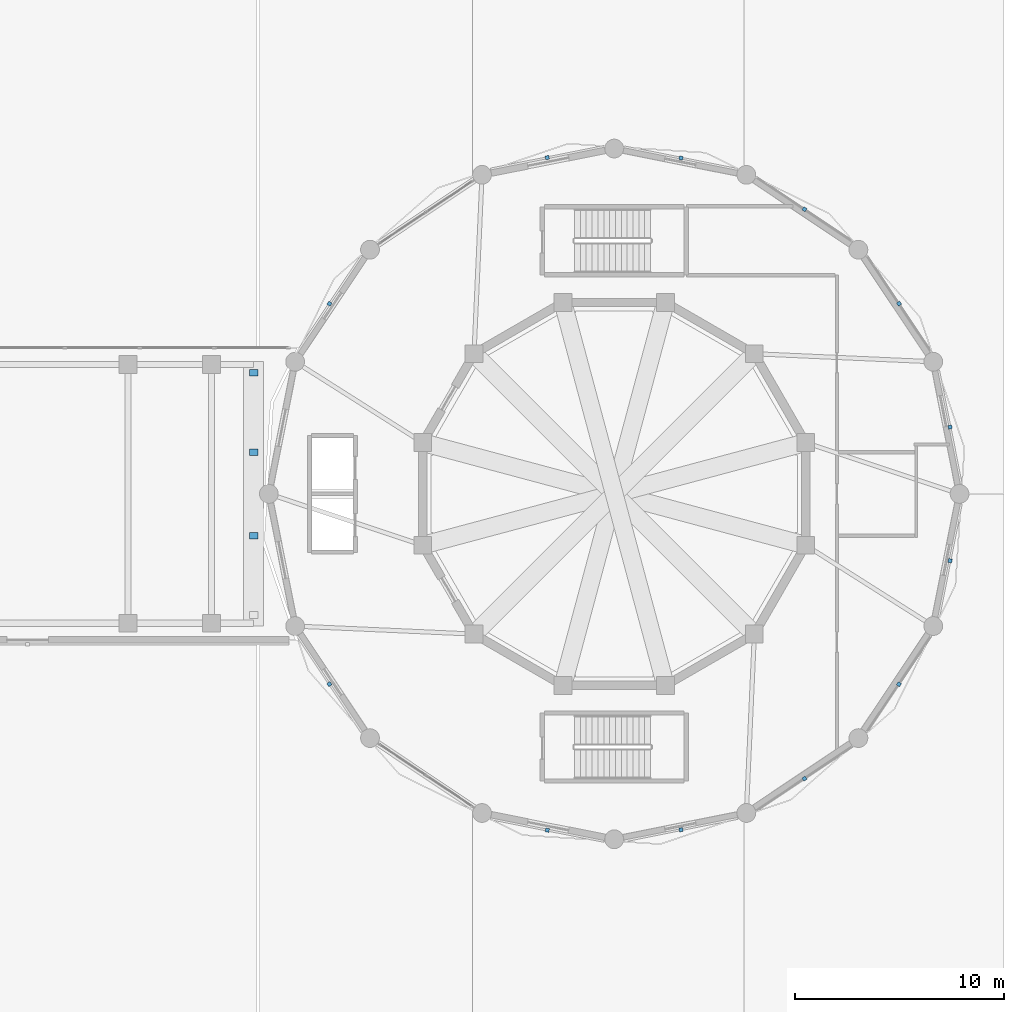
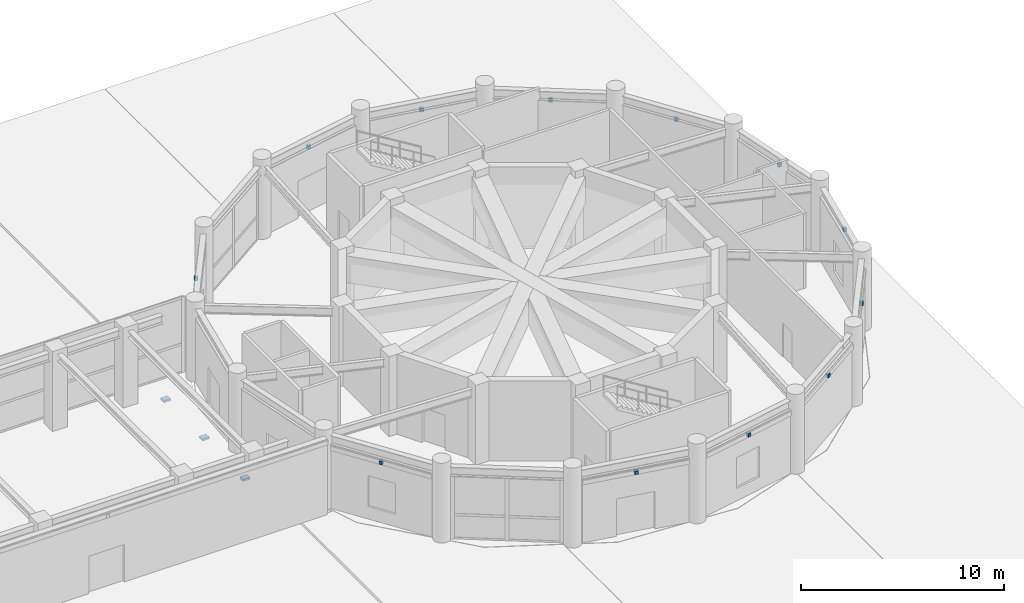
# One storey, part 34 of 40: 15 discrete accessories.
"""IFC4 building model written with IfcOpenShell, lengths in metres."""

from ifc_helpers import new_model, si_unit, derived_unit, direction, frame, origin, origin_2d, place, context, subcontext, project, spatial, rectangle, extrude, source, transform, mapped, material, type_object, element, save


model = new_model("IFC4")

# Units and contexts
model_context = context("Model", 3, precision=1e-05, world=origin(), true_north=direction((0.0, 1.0)))
body_context = subcontext(model_context, "Body", "Model", "MODEL_VIEW")
ifc_project = project(units=[si_unit("LENGTHUNIT", "METRE"), si_unit("AREAUNIT", "SQUARE_METRE"), si_unit("VOLUMEUNIT", "CUBIC_METRE"), si_unit("PLANEANGLEUNIT", "RADIAN"), si_unit("MASSUNIT", "GRAM", prefix="KILO"), derived_unit("THERMALTRANSMITTANCEUNIT", [(si_unit("POWERUNIT", "WATT"), 1), (si_unit("LENGTHUNIT", "METRE"), -2), (si_unit("THERMODYNAMICTEMPERATUREUNIT", "KELVIN"), -1)])], contexts=[model_context])

# Site, building, storey
site_placement = place(None, origin())
site = spatial("IfcSite", under=ifc_project, at=site_placement, CompositionType="ELEMENT")
building_placement = place(site_placement, origin())
building = spatial("IfcBuilding", under=site, at=building_placement, Name="Korsvarv Bourse and Concert Hall", CompositionType="ELEMENT")
storey_placement = place(building_placement, origin())
storey = spatial("IfcBuildingStorey", under=building, at=storey_placement, Name="L00", CompositionType="ELEMENT", Elevation=0.0)

# Discrete accessories
ifc_material_1 = material(Name="Steel S355 and PTFE bearing", Category="steel")
discrete_accessory_type_1 = type_object("IfcDiscreteAccessoryType", Name="ACC-PTFE", PredefinedType="USERDEFINED", material=ifc_material_1)
shared_shape_1 = source(origin(), body_context, "Body", "SweptSolid", [
    extrude(rectangle(XDim=0.39990234375, YDim=0.320068359375, at=origin_2d()), origin(), (0.0, 0.0, 1.0), 0.1201171875),
])
for number, where, z_axis, x_axis, name in (
    (1, (89.52001953125, 34.0, -0.380126953125), (0.0, 0.0, 1.0), (1.0, 0.0, 0.0), "L00 link gallery PTFE sliding bearing 2"),
    (2, (89.52001953125, 38.0, -0.380126953125), (0.0, 0.0, 1.0), (1.0, 0.0, 0.0), "L00 link gallery PTFE sliding bearing 3"),
    (3, (89.52001953125, 41.800048828125, -0.380126953125), (0.0, 0.0, 1.0), (1.0, 0.0, 0.0), "L00 link gallery PTFE sliding bearing 4"),
):
    element("IfcDiscreteAccessory", number, at=place(storey_placement, frame(where, z_axis=z_axis, x_axis=x_axis)), inside=storey, type_object=discrete_accessory_type_1, Name=name, ObjectType="SLIDING BEARING", PredefinedType="USERDEFINED", context=body_context, shape_type="MappedRepresentation", body=[
        mapped(shared_shape_1, transform((0.0, 0.0, 0.0), scale=1.0)),
    ])
ifc_material_2 = material(Name="Stainless Steel S355 facade outrigger bracket", Category="steel")
discrete_accessory_type_2 = type_object("IfcDiscreteAccessoryType", Name="ACC-BRK-1", PredefinedType="BRACKET", material=ifc_material_2)
shared_shape_2 = source(origin(), body_context, "Body", "SweptSolid", [
    extrude(rectangle(XDim=0.179931640625, YDim=0.179931640625, at=origin_2d()), origin(), (0.0, 0.0, 1.0), 0.199951171875),
])
for number, where, z_axis, x_axis, name in (
    (4, (122.896484375, 39.201904296875, 3.56982421875), (0.0, 0.0, 1.0), (-0.195090322016, 0.980785280403, 0.0), "L00 terracotta sunshade bracket EW-L00-CHD01"),
    (5, (120.446044921875, 45.117919921875, 3.56982421875), (0.0, 0.0, 1.0), (-0.55557023302, 0.831469612303, 0.0), "L00 terracotta sunshade bracket EW-L00-CHD02"),
    (6, (115.91796875, 49.64599609375, 3.56982421875), (0.0, 0.0, 1.0), (-0.831469612303, 0.55557023302, 0.0), "L00 terracotta sunshade bracket EW-L00-CHD03"),
    (7, (110.001708984375, 52.0966796875, 3.56982421875), (0.0, 0.0, 1.0), (-0.980785280403, 0.195090322016, 0.0), "L00 terracotta sunshade bracket EW-L00-CHD04"),
    (8, (103.59423828125, 52.1162109375, 3.56982421875), (0.0, 0.0, 1.0), (-0.980785280403, -0.195090322016, 0.0), "L00 terracotta sunshade bracket EW-L00-CHD05"),
    (9, (93.15380859375, 45.117919921875, 3.56982421875), (0.0, 0.0, 1.0), (-0.55557023302, -0.831469612303, 0.0), "L00 terracotta sunshade bracket EW-L00-CHD07"),
    (10, (93.15380859375, 26.882080078125, 3.56982421875), (0.0, 0.0, 1.0), (0.55557023302, -0.831469612303, 0.0), "L00 terracotta sunshade bracket EW-L00-CHD10"),
    (11, (103.59423828125, 19.8837890625, 3.56982421875), (0.0, 0.0, 1.0), (0.980785280403, -0.195090322016, 0.0), "L00 terracotta sunshade bracket EW-L00-CHD12"),
    (12, (110.001708984375, 19.9033203125, 3.56982421875), (0.0, 0.0, 1.0), (0.980785280403, 0.195090322016, 0.0), "L00 terracotta sunshade bracket EW-L00-CHD13"),
    (13, (115.91796875, 22.35400390625, 3.56982421875), (0.0, 0.0, 1.0), (0.831469612303, 0.55557023302, 0.0), "L00 terracotta sunshade bracket EW-L00-CHD14"),
    (14, (120.446044921875, 26.882080078125, 3.56982421875), (0.0, 0.0, 1.0), (0.55557023302, 0.831469612303, 0.0), "L00 terracotta sunshade bracket EW-L00-CHD15"),
    (15, (122.896484375, 32.798095703125, 3.56982421875), (0.0, 0.0, 1.0), (0.195090322016, 0.980785280403, 0.0), "L00 terracotta sunshade bracket EW-L00-CHD16"),
):
    element("IfcDiscreteAccessory", number, at=place(storey_placement, frame(where, z_axis=z_axis, x_axis=x_axis)), inside=storey, type_object=discrete_accessory_type_2, Name=name, PredefinedType="BRACKET", context=body_context, shape_type="MappedRepresentation", body=[
        mapped(shared_shape_2, transform((0.0, 0.0, 0.0), scale=1.0)),
    ])

save(model, "model.ifc")
